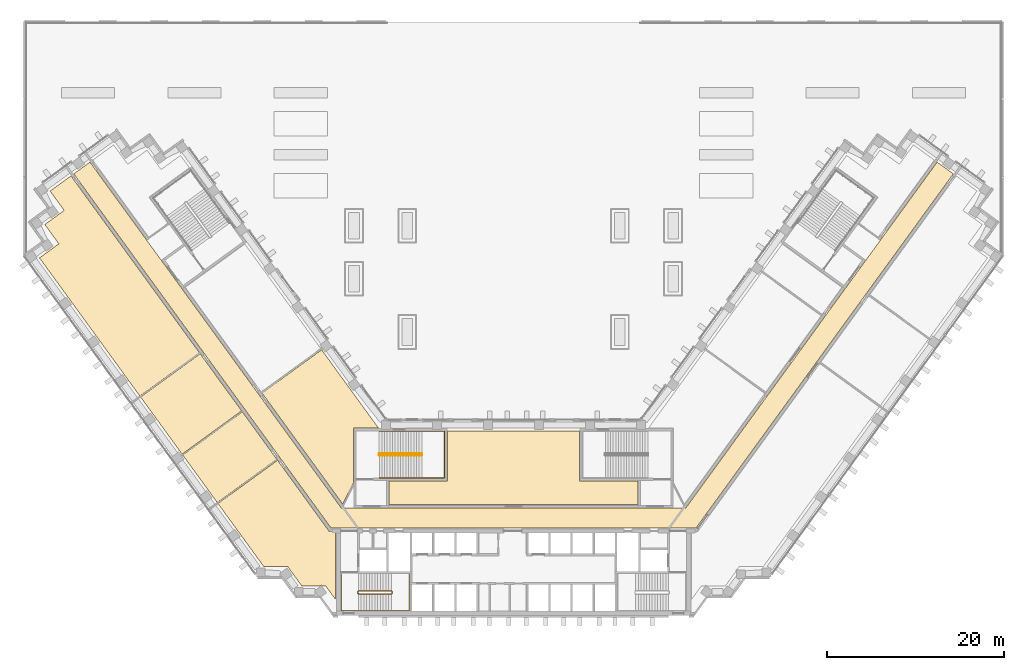
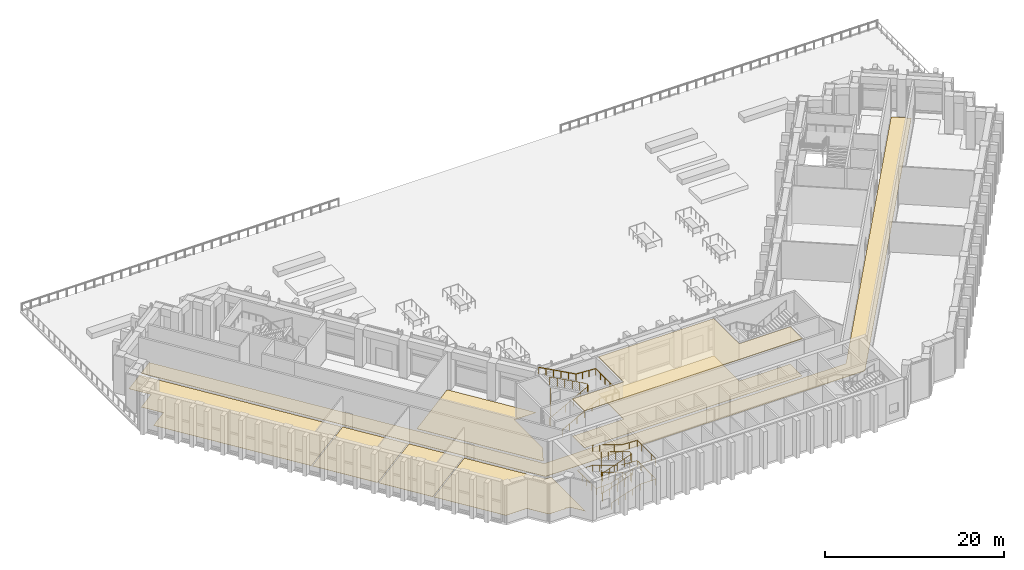
# One storey, part 21 of 25: 8 coverings, 4 railings.
"""IFC4 building model written with IfcOpenShell, lengths in metres."""

from ifc_helpers import new_model, si_unit, direction, frame, origin, origin_2d, place, context, subcontext, project, spatial, polyline, circle, outline, extrude, material, layer, layer_set, type_object, element, save


model = new_model("IFC4")

# Units and contexts
model_context = context("Model", 3, precision=1e-05, world=origin(), true_north=direction((0.0, 1.0)))
body_context = subcontext(model_context, "Body", "Model", "MODEL_VIEW")
ifc_project = project(units=[si_unit("LENGTHUNIT", "METRE"), si_unit("AREAUNIT", "SQUARE_METRE"), si_unit("VOLUMEUNIT", "CUBIC_METRE"), si_unit("PLANEANGLEUNIT", "RADIAN"), si_unit("MASSUNIT", "GRAM", prefix="KILO")], contexts=[model_context])

# Site, building, storey
site_placement = place(None, origin())
site = spatial("IfcSite", under=ifc_project, at=site_placement, CompositionType="ELEMENT")
building_placement = place(site_placement, origin())
building = spatial("IfcBuilding", under=site, at=building_placement, Name="Quipu Civic Tower", CompositionType="ELEMENT")
storey_placement = place(building_placement, frame((0.0, 0.0, 6.0)))
storey = spatial("IfcBuildingStorey", under=building, at=storey_placement, Name="L01", CompositionType="ELEMENT", Elevation=6.0)

# Coverings
ifc_material_1 = material(Name="Carpet tile on raised access floor")
ifc_layer_1 = layer(ifc_material_1, 0.02001953125)
ifc_layer_set_1 = layer_set([ifc_layer_1], Name="Carpet tile on raised access floor")
covering_type_1 = type_object("IfcCoveringType", Name="Carpet tile floor finish 20", PredefinedType="FLOORING", material=ifc_layer_set_1)
covering_1_placement = place(storey_placement, origin())
element("IfcCovering", 1, at=covering_1_placement, inside=storey, type_object=covering_type_1, Name="Carpet tile floor finish 20", PredefinedType="FLOORING", context=body_context, shape_type="SweptSolid", body=[
    extrude(outline(polyline([(-53.47998046875, 29.35791015625), (-51.297119140625, 30.945068359375), (-52.883056640625, 33.12890625), (-50.698974609375, 34.717041015625), (-52.284912109375, 36.90087890625), (-49.930908203125, 38.611083984375), (-35.43408203125, 18.656005859375), (-42.156982421875, 13.77197265625), (-53.47998046875, 29.35791015625)])), origin(), (0.0, 0.0, 1.0), 0.02001953125),
])
covering_2_placement = place(storey_placement, origin())
element("IfcCovering", 2, at=covering_2_placement, inside=storey, type_object=covering_type_1, Name="Carpet tile floor finish 20", PredefinedType="FLOORING", context=body_context, shape_type="SweptSolid", body=[
    extrude(outline(polyline([(-33.344970703125, 1.64501953125), (-26.6220703125, 6.529052734375), (-20.77490234375, -1.51904296875), (-20.070068359375, -1.52001953125), (-20.070068359375, -9.195068359375), (-21.196044921875, -7.64599609375), (-21.597900390625, -7.64599609375), (-21.64111328125, -7.5869140625), (-21.64404296875, -7.5830078125), (-21.64697265625, -7.580078125), (-21.65087890625, -7.576904296875), (-21.655029296875, -7.573974609375), (-21.658935546875, -7.572021484375), (-21.6640625, -7.570068359375), (-21.6689453125, -7.568115234375), (-21.673095703125, -7.56689453125), (-21.677978515625, -7.56689453125), (-21.68310546875, -7.56689453125), (-21.68798828125, -7.56689453125), (-21.693115234375, -7.568115234375), (-21.697998046875, -7.569091796875), (-21.701904296875, -7.571044921875), (-21.7060546875, -7.572998046875), (-21.7109375, -7.575927734375), (-21.806884765625, -7.64599609375), (-23.89501953125, -7.64599609375), (-25.48193359375, -5.4619140625), (-28.181884765625, -5.4609375), (-33.344970703125, 1.64501953125)])), origin(), (0.0, 0.0, 1.0), 0.02001953125),
])
covering_3_placement = place(storey_placement, origin())
element("IfcCovering", 3, at=covering_3_placement, inside=storey, type_object=covering_type_1, Name="Carpet tile floor finish 20", PredefinedType="FLOORING", context=body_context, shape_type="SweptSolid", body=[
    extrude(outline(polyline([(-14.030029296875, 1.52001953125), (-14.030029296875, 4.179931640625), (-7.429931640625, 4.180908203125), (-7.429931640625, 9.830078125), (7.429931640625, 9.830078125), (7.430908203125, 4.179931640625), (14.030029296875, 4.179931640625), (14.030029296875, 1.52001953125), (-14.030029296875, 1.52001953125)])), origin(), (0.0, 0.0, 1.0), 0.02001953125),
])
covering_4_placement = place(storey_placement, origin())
element("IfcCovering", 4, at=covering_4_placement, inside=storey, type_object=covering_type_1, Name="Carpet tile floor finish 20", PredefinedType="FLOORING", context=body_context, shape_type="SweptSolid", body=[
    extrude(outline(polyline([(-28.37109375, 14.10888671875), (-21.64794921875, 18.992919921875), (-15.238037109375, 10.169921875), (-18.070068359375, 10.1689453125), (-18.070068359375, 3.94189453125), (-19.27197265625, 1.583984375), (-28.37109375, 14.10888671875)])), origin(), (0.0, 0.0, 1.0), 0.02001953125),
])
ifc_material_2 = material(Name="Ceramic floor tile")
ifc_layer_2 = layer(ifc_material_2, 0.030029296875)
ifc_layer_set_2 = layer_set([ifc_layer_2], Name="Ceramic floor tile")
covering_type_2 = type_object("IfcCoveringType", Name="Ceramic tile floor finish 30", PredefinedType="FLOORING", material=ifc_layer_set_2)
covering_5_placement = place(storey_placement, origin())
element("IfcCovering", 5, at=covering_5_placement, inside=storey, type_object=covering_type_2, Name="Ceramic tile floor finish 30", PredefinedType="FLOORING", context=body_context, shape_type="SweptSolid", body=[
    extrude(outline(polyline([(-37.31298828125, 7.10595703125), (-30.590087890625, 11.989990234375), (-26.705078125, 6.64208984375), (-33.427978515625, 1.758056640625), (-37.31298828125, 7.10595703125)])), origin(), (0.0, 0.0, 1.0), 0.030029296875),
])
covering_6_placement = place(storey_placement, origin())
element("IfcCovering", 6, at=covering_6_placement, inside=storey, type_object=covering_type_2, Name="Ceramic tile floor finish 30", PredefinedType="FLOORING", context=body_context, shape_type="SweptSolid", body=[
    extrude(outline(polyline([(-42.073974609375, 13.658935546875), (-35.35107421875, 18.54296875), (-30.673095703125, 12.10302734375), (-37.39599609375, 7.218994140625), (-42.073974609375, 13.658935546875)])), origin(), (0.0, 0.0, 1.0), 0.030029296875),
])

# Railings
ifc_material_3 = material(Name="Stainless steel", Category="steel")
railing_type_1 = type_object("IfcRailingType", Name="Stair guard 1100", PredefinedType="GUARDRAIL", material=ifc_material_3)
railing_1_placement = place(storey_placement, frame((-17.5, -8.550048828125, 0.105712890625)))
element("IfcRailing", 7, at=railing_1_placement, inside=storey, type_object=railing_type_1, Name="Stair 1 guard", PredefinedType="GUARDRAIL", context=body_context, shape_type="SweptSolid", body=[
    extrude(circle(Radius=0.02392578125, at=origin_2d()), frame((0.0, 0.0, 1.076171875), z_axis=(0.946423494061, 0.0, 0.322928118765), x_axis=(0.0, 1.0, 0.0)), (0.0, 0.0, 1.0), 3.9306640625),
    extrude(circle(Radius=0.02392578125, at=origin_2d()), frame((3.719970703125, 0.0, 2.34521484375), z_axis=(0.707106781187, 0.707106781187, 0.0), x_axis=(-0.707106781187, 0.707106781187, 0.0)), (0.0, 0.0, 1.0), 0.07080078125),
    extrude(circle(Radius=0.02392578125, at=origin_2d()), frame((3.77001953125, 0.050048828125, 2.34521484375), z_axis=(0.0, 1.0, 0.0), x_axis=(-1.0, 0.0, 0.0)), (0.0, 0.0, 1.0), 0.25),
    extrude(circle(Radius=0.02392578125, at=origin_2d()), frame((3.77001953125, 0.300048828125, 2.34521484375), z_axis=(-0.393403078344, 0.393403078344, 0.830944063039), x_axis=(-0.707106781187, -0.707106781187, 0.0)), (0.0, 0.0, 1.0), 0.127197265625),
    extrude(circle(Radius=0.02392578125, at=origin_2d()), frame((3.719970703125, 0.35009765625, 2.451171875), z_axis=(-0.946423494061, 0.0, 0.322928118765), x_axis=(0.0, -1.0, 0.0)), (0.0, 0.0, 1.0), 3.9306640625),
    extrude(circle(Radius=0.02392578125, at=origin_2d()), frame((0.0, 0.35009765625, 3.72021484375), z_axis=(-0.164529134168, -0.986372223864, 0.0), x_axis=(0.986372223864, -0.164529134168, 0.0)), (0.0, 0.0, 1.0), 0.30419921875),
    extrude(circle(Radius=0.02392578125, at=origin_2d()), frame((-0.050048828125, 0.050048828125, 3.72021484375), z_axis=(0.0, 1.0, 0.0), x_axis=(-1.0, 0.0, 0.0)), (0.0, 0.0, 1.0), 0.25),
    extrude(circle(Radius=0.02392578125, at=origin_2d()), frame((-0.050048828125, 0.300048828125, 3.72021484375), z_axis=(0.155412108586, -0.931714543669, 0.328260697648), x_axis=(0.986372223864, 0.164529134168, 0.0)), (0.0, 0.0, 1.0), 0.322021484375),
    extrude(circle(Radius=0.02392578125, at=origin_2d()), frame((0.0, 0.0, 3.826171875), z_axis=(0.946423494061, 0.0, 0.322928118765), x_axis=(0.0, 1.0, 0.0)), (0.0, 0.0, 1.0), 3.9306640625),
    extrude(circle(Radius=0.02392578125, at=origin_2d()), frame((3.719970703125, 0.0, 5.09521484375), z_axis=(0.707106781187, 0.707106781187, 0.0), x_axis=(-0.707106781187, 0.707106781187, 0.0)), (0.0, 0.0, 1.0), 0.07080078125),
    extrude(circle(Radius=0.02392578125, at=origin_2d()), frame((3.77001953125, 0.050048828125, 5.09521484375), z_axis=(0.0, 1.0, 0.0), x_axis=(-1.0, 0.0, 0.0)), (0.0, 0.0, 1.0), 0.25),
    extrude(circle(Radius=0.02392578125, at=origin_2d()), frame((3.77001953125, 0.300048828125, 5.09521484375), z_axis=(-0.393403078344, 0.393403078344, 0.830944063039), x_axis=(-0.707106781187, -0.707106781187, 0.0)), (0.0, 0.0, 1.0), 0.127197265625),
    extrude(circle(Radius=0.02392578125, at=origin_2d()), frame((3.719970703125, 0.35009765625, 5.201171875), z_axis=(-0.946423494061, 0.0, 0.322928118765), x_axis=(0.0, -1.0, 0.0)), (0.0, 0.0, 1.0), 3.9306640625),
    extrude(circle(Radius=0.02392578125, at=origin_2d()), frame((0.0, 0.35009765625, 6.47021484375), z_axis=(-0.009085900743, -0.05447108299, -0.998474009439), x_axis=(0.986372223864, -0.164529134168, 0.0)), (0.0, 0.0, 1.0), 5.50830078125),
    extrude(circle(Radius=0.02392578125, at=origin_2d()), frame((-0.050048828125, 0.050048828125, 0.97021484375), z_axis=(0.0, 1.0, 0.0), x_axis=(-1.0, 0.0, 0.0)), (0.0, 0.0, 1.0), 0.25),
    extrude(circle(Radius=0.02099609375, at=origin_2d()), origin(), (0.0, 0.0, 1.0), 1.052001953125),
    extrude(circle(Radius=0.02099609375, at=origin_2d()), frame((0.929931640625, 0.0, 0.3173828125)), (0.0, 0.0, 1.0), 1.052001953125),
    extrude(circle(Radius=0.02099609375, at=origin_2d()), frame((1.85986328125, 0.0, 0.634765625)), (0.0, 0.0, 1.0), 1.052001953125),
    extrude(circle(Radius=0.02099609375, at=origin_2d()), frame((2.7900390625, 0.0, 0.951904296875)), (0.0, 0.0, 1.0), 1.052001953125),
    extrude(circle(Radius=0.02099609375, at=origin_2d()), frame((3.719970703125, 0.0, 1.269287109375)), (0.0, 0.0, 1.0), 1.052001953125),
    extrude(circle(Radius=0.02099609375, at=origin_2d()), frame((3.77001953125, 0.050048828125, 1.269287109375)), (0.0, 0.0, 1.0), 1.052001953125),
    extrude(circle(Radius=0.02099609375, at=origin_2d()), frame((3.77001953125, 0.300048828125, 1.269287109375)), (0.0, 0.0, 1.0), 1.052001953125),
    extrude(circle(Radius=0.02099609375, at=origin_2d()), frame((3.719970703125, 0.35009765625, 1.375)), (0.0, 0.0, 1.0), 1.052001953125),
    extrude(circle(Radius=0.02099609375, at=origin_2d()), frame((2.7900390625, 0.35009765625, 1.6923828125)), (0.0, 0.0, 1.0), 1.052001953125),
    extrude(circle(Radius=0.02099609375, at=origin_2d()), frame((1.85986328125, 0.35009765625, 2.009765625)), (0.0, 0.0, 1.0), 1.052001953125),
    extrude(circle(Radius=0.02099609375, at=origin_2d()), frame((0.929931640625, 0.35009765625, 2.326904296875)), (0.0, 0.0, 1.0), 1.052001953125),
    extrude(circle(Radius=0.02099609375, at=origin_2d()), frame((0.0, 0.35009765625, 2.644287109375)), (0.0, 0.0, 1.0), 1.052001953125),
    extrude(circle(Radius=0.02099609375, at=origin_2d()), frame((-0.050048828125, 0.050048828125, 2.644287109375)), (0.0, 0.0, 1.0), 1.052001953125),
    extrude(circle(Radius=0.02099609375, at=origin_2d()), frame((-0.050048828125, 0.300048828125, 2.644287109375)), (0.0, 0.0, 1.0), 1.052001953125),
    extrude(circle(Radius=0.02099609375, at=origin_2d()), frame((0.0, 0.0, 2.75)), (0.0, 0.0, 1.0), 1.052001953125),
    extrude(circle(Radius=0.02099609375, at=origin_2d()), frame((0.929931640625, 0.0, 3.0673828125)), (0.0, 0.0, 1.0), 1.052001953125),
    extrude(circle(Radius=0.02099609375, at=origin_2d()), frame((1.85986328125, 0.0, 3.384765625)), (0.0, 0.0, 1.0), 1.052001953125),
    extrude(circle(Radius=0.02099609375, at=origin_2d()), frame((2.7900390625, 0.0, 3.701904296875)), (0.0, 0.0, 1.0), 1.052001953125),
    extrude(circle(Radius=0.02099609375, at=origin_2d()), frame((3.719970703125, 0.0, 4.019287109375)), (0.0, 0.0, 1.0), 1.052001953125),
    extrude(circle(Radius=0.02099609375, at=origin_2d()), frame((3.77001953125, 0.050048828125, 4.019287109375)), (0.0, 0.0, 1.0), 1.052001953125),
    extrude(circle(Radius=0.02099609375, at=origin_2d()), frame((3.77001953125, 0.300048828125, 4.019287109375)), (0.0, 0.0, 1.0), 1.052001953125),
    extrude(circle(Radius=0.02099609375, at=origin_2d()), frame((3.719970703125, 0.35009765625, 4.125)), (0.0, 0.0, 1.0), 1.052001953125),
    extrude(circle(Radius=0.02099609375, at=origin_2d()), frame((2.7900390625, 0.35009765625, 4.4423828125)), (0.0, 0.0, 1.0), 1.052001953125),
    extrude(circle(Radius=0.02099609375, at=origin_2d()), frame((1.85986328125, 0.35009765625, 4.759765625)), (0.0, 0.0, 1.0), 1.052001953125),
    extrude(circle(Radius=0.02099609375, at=origin_2d()), frame((0.929931640625, 0.35009765625, 5.076904296875)), (0.0, 0.0, 1.0), 1.052001953125),
    extrude(circle(Radius=0.02099609375, at=origin_2d()), frame((0.0, 0.35009765625, 5.394287109375)), (0.0, 0.0, 1.0), 1.052001953125),
    extrude(circle(Radius=0.02099609375, at=origin_2d()), frame((-0.010009765625, 0.2900390625, 4.294189453125)), (0.0, 0.0, 1.0), 1.052001953125),
    extrude(circle(Radius=0.02099609375, at=origin_2d()), frame((-0.02001953125, 0.22998046875, 3.1943359375)), (0.0, 0.0, 1.0), 1.052001953125),
    extrude(circle(Radius=0.02099609375, at=origin_2d()), frame((-0.030029296875, 0.170166015625, 2.09423828125)), (0.0, 0.0, 1.0), 1.052001953125),
    extrude(circle(Radius=0.02099609375, at=origin_2d()), frame((-0.0400390625, 0.110107421875, 0.994384765625)), (0.0, 0.0, 1.0), 1.052001953125),
    extrude(circle(Radius=0.02099609375, at=origin_2d()), frame((-0.050048828125, 0.050048828125, -0.105712890625)), (0.0, 0.0, 1.0), 1.052001953125),
    extrude(circle(Radius=0.02099609375, at=origin_2d()), frame((-0.050048828125, 0.300048828125, -0.105712890625)), (0.0, 0.0, 1.0), 1.052001953125),
])
railing_2_placement = place(storey_placement, frame((-15.14990234375, 7.050048828125, 0.161865234375)))
element("IfcRailing", 8, at=railing_2_placement, inside=storey, type_object=railing_type_1, Name="Stair 3 guard", PredefinedType="GUARDRAIL", context=body_context, shape_type="SweptSolid", body=[
    extrude(circle(Radius=0.02392578125, at=origin_2d()), frame((0.0, 0.0, 1.076171875), z_axis=(0.880193493545, 0.0, 0.474615016535), x_axis=(0.0, 1.0, 0.0)), (0.0, 0.0, 1.0), 5.453125),
    extrude(circle(Radius=0.02392578125, at=origin_2d()), frame((4.7998046875, 0.0, 3.6640625), z_axis=(0.707106781187, 0.707106781187, 0.0), x_axis=(-0.707106781187, 0.707106781187, 0.0)), (0.0, 0.0, 1.0), 0.07080078125),
    extrude(circle(Radius=0.02392578125, at=origin_2d()), frame((4.849853515625, 0.050048828125, 3.6640625), z_axis=(0.0, 1.0, 0.0), x_axis=(-1.0, 0.0, 0.0)), (0.0, 0.0, 1.0), 0.14990234375),
    extrude(circle(Radius=0.02392578125, at=origin_2d()), frame((4.849853515625, 0.199951171875, 3.6640625), z_axis=(-0.283299731285, 0.283299731285, 0.916232789474), x_axis=(-0.707106781187, -0.707106781187, 0.0)), (0.0, 0.0, 1.0), 0.1767578125),
    extrude(circle(Radius=0.02392578125, at=origin_2d()), frame((4.7998046875, 0.25, 3.826171875), z_axis=(-0.880193493545, 0.0, 0.474615016535), x_axis=(0.0, -1.0, 0.0)), (0.0, 0.0, 1.0), 5.453125),
    extrude(circle(Radius=0.02392578125, at=origin_2d()), frame((0.0, 0.25, 6.4140625), z_axis=(-0.009093403445, -0.036329255716, -0.999298501546), x_axis=(0.970072785993, -0.242814311512, 0.0)), (0.0, 0.0, 1.0), 5.50390625),
    extrude(circle(Radius=0.02392578125, at=origin_2d()), frame((-0.050048828125, 0.050048828125, 0.9140625), z_axis=(0.0, 1.0, 0.0), x_axis=(-1.0, 0.0, 0.0)), (0.0, 0.0, 1.0), 0.14990234375),
    extrude(circle(Radius=0.02099609375, at=origin_2d()), origin(), (0.0, 0.0, 1.0), 1.052001953125),
    extrude(circle(Radius=0.02099609375, at=origin_2d()), frame((0.9599609375, 0.0, 0.517578125)), (0.0, 0.0, 1.0), 1.052001953125),
    extrude(circle(Radius=0.02099609375, at=origin_2d()), frame((1.919921875, 0.0, 1.03515625)), (0.0, 0.0, 1.0), 1.052001953125),
    extrude(circle(Radius=0.02099609375, at=origin_2d()), frame((2.8798828125, 0.0, 1.552978515625)), (0.0, 0.0, 1.0), 1.052001953125),
    extrude(circle(Radius=0.02099609375, at=origin_2d()), frame((3.83984375, 0.0, 2.070556640625)), (0.0, 0.0, 1.0), 1.052001953125),
    extrude(circle(Radius=0.02099609375, at=origin_2d()), frame((4.7998046875, 0.0, 2.588134765625)), (0.0, 0.0, 1.0), 1.052001953125),
    extrude(circle(Radius=0.02099609375, at=origin_2d()), frame((4.849853515625, 0.050048828125, 2.588134765625)), (0.0, 0.0, 1.0), 1.052001953125),
    extrude(circle(Radius=0.02099609375, at=origin_2d()), frame((4.849853515625, 0.199951171875, 2.588134765625)), (0.0, 0.0, 1.0), 1.052001953125),
    extrude(circle(Radius=0.02099609375, at=origin_2d()), frame((4.7998046875, 0.25, 2.75)), (0.0, 0.0, 1.0), 1.052001953125),
    extrude(circle(Radius=0.02099609375, at=origin_2d()), frame((3.83984375, 0.25, 3.267578125)), (0.0, 0.0, 1.0), 1.052001953125),
    extrude(circle(Radius=0.02099609375, at=origin_2d()), frame((2.8798828125, 0.25, 3.78515625)), (0.0, 0.0, 1.0), 1.052001953125),
    extrude(circle(Radius=0.02099609375, at=origin_2d()), frame((1.919921875, 0.25, 4.302978515625)), (0.0, 0.0, 1.0), 1.052001953125),
    extrude(circle(Radius=0.02099609375, at=origin_2d()), frame((0.9599609375, 0.25, 4.820556640625)), (0.0, 0.0, 1.0), 1.052001953125),
    extrude(circle(Radius=0.02099609375, at=origin_2d()), frame((0.0, 0.25, 5.338134765625)), (0.0, 0.0, 1.0), 1.052001953125),
    extrude(circle(Radius=0.02099609375, at=origin_2d()), frame((-0.010009765625, 0.2099609375, 4.238037109375)), (0.0, 0.0, 1.0), 1.052001953125),
    extrude(circle(Radius=0.02099609375, at=origin_2d()), frame((-0.02001953125, 0.169921875, 3.13818359375)), (0.0, 0.0, 1.0), 1.052001953125),
    extrude(circle(Radius=0.02099609375, at=origin_2d()), frame((-0.030029296875, 0.130126953125, 2.0380859375)), (0.0, 0.0, 1.0), 1.052001953125),
    extrude(circle(Radius=0.02099609375, at=origin_2d()), frame((-0.0400390625, 0.090087890625, 0.938232421875)), (0.0, 0.0, 1.0), 1.052001953125),
    extrude(circle(Radius=0.02099609375, at=origin_2d()), frame((-0.050048828125, 0.050048828125, -0.161865234375)), (0.0, 0.0, 1.0), 1.052001953125),
    extrude(circle(Radius=0.02099609375, at=origin_2d()), frame((-0.050048828125, 0.199951171875, -0.161865234375)), (0.0, 0.0, 1.0), 1.052001953125),
])
ifc_material_4 = material(Name="Stainless steel", Category="steel")
railing_type_2 = type_object("IfcRailingType", Name="Stair handrail", PredefinedType="HANDRAIL", material=ifc_material_4)
railing_3_placement = place(storey_placement, frame((-17.5, -10.449951171875, 0.105712890625)))
element("IfcRailing", 9, at=railing_3_placement, inside=storey, type_object=railing_type_2, Name="Stair 1 handrail", PredefinedType="HANDRAIL", context=body_context, shape_type="SweptSolid", body=[
    extrude(circle(Radius=0.02392578125, at=origin_2d()), frame((0.0, 0.0, 0.8759765625), z_axis=(0.946423494061, 0.0, 0.322928118765), x_axis=(0.0, 1.0, 0.0)), (0.0, 0.0, 1.0), 3.9306640625),
    extrude(circle(Radius=0.02392578125, at=origin_2d()), frame((3.719970703125, 0.0, 2.14501953125), z_axis=(1.0, 0.0, 0.0), x_axis=(0.0, 1.0, 0.0)), (0.0, 0.0, 1.0), 2.030029296875),
    extrude(circle(Radius=0.02392578125, at=origin_2d()), frame((5.75, 0.0, 2.14501953125), z_axis=(0.0, 1.0, 0.0), x_axis=(-1.0, 0.0, 0.0)), (0.0, 0.0, 1.0), 4.14990234375),
    extrude(circle(Radius=0.02392578125, at=origin_2d()), frame((5.75, 4.14990234375, 2.14501953125), z_axis=(-0.998646871289, 0.0, 0.052004100453), x_axis=(0.0, -1.0, 0.0)), (0.0, 0.0, 1.0), 2.03271484375),
    extrude(circle(Radius=0.02392578125, at=origin_2d()), frame((3.719970703125, 4.14990234375, 2.2509765625), z_axis=(-0.946423494061, 0.0, 0.322928118765), x_axis=(0.0, -1.0, 0.0)), (0.0, 0.0, 1.0), 3.9306640625),
    extrude(circle(Radius=0.02392578125, at=origin_2d()), frame((0.0, 4.14990234375, 3.52001953125), z_axis=(-1.0, 0.0, 0.0), x_axis=(0.0, -1.0, 0.0)), (0.0, 0.0, 1.0), 1.949951171875),
    extrude(circle(Radius=0.02392578125, at=origin_2d()), frame((-1.949951171875, 4.14990234375, 3.52001953125), z_axis=(0.0, -1.0, 0.0), x_axis=(1.0, 0.0, 0.0)), (0.0, 0.0, 1.0), 4.14990234375),
    extrude(circle(Radius=0.02392578125, at=origin_2d()), frame((-1.949951171875, 0.0, 3.52001953125), z_axis=(0.99853370146, 0.0, 0.054133603698), x_axis=(0.0, 1.0, 0.0)), (0.0, 0.0, 1.0), 1.952880859375),
    extrude(circle(Radius=0.02392578125, at=origin_2d()), frame((0.0, 0.0, 3.6259765625), z_axis=(0.946423494061, 0.0, 0.322928118765), x_axis=(0.0, 1.0, 0.0)), (0.0, 0.0, 1.0), 3.9306640625),
    extrude(circle(Radius=0.02392578125, at=origin_2d()), frame((3.719970703125, 0.0, 4.89501953125), z_axis=(1.0, 0.0, 0.0), x_axis=(0.0, 1.0, 0.0)), (0.0, 0.0, 1.0), 2.030029296875),
    extrude(circle(Radius=0.02392578125, at=origin_2d()), frame((5.75, 0.0, 4.89501953125), z_axis=(0.0, 1.0, 0.0), x_axis=(-1.0, 0.0, 0.0)), (0.0, 0.0, 1.0), 4.14990234375),
    extrude(circle(Radius=0.02392578125, at=origin_2d()), frame((5.75, 4.14990234375, 4.89501953125), z_axis=(-0.998646871289, 0.0, 0.052004100453), x_axis=(0.0, -1.0, 0.0)), (0.0, 0.0, 1.0), 2.03271484375),
    extrude(circle(Radius=0.02392578125, at=origin_2d()), frame((3.719970703125, 4.14990234375, 5.0009765625), z_axis=(-0.946423494061, 0.0, 0.322928118765), x_axis=(0.0, -1.0, 0.0)), (0.0, 0.0, 1.0), 3.9306640625),
    extrude(circle(Radius=0.02099609375, at=origin_2d()), origin(), (0.0, 0.0, 1.0), 0.851806640625),
    extrude(circle(Radius=0.02099609375, at=origin_2d()), frame((0.929931640625, 0.0, 0.3173828125)), (0.0, 0.0, 1.0), 0.851806640625),
    extrude(circle(Radius=0.02099609375, at=origin_2d()), frame((1.85986328125, 0.0, 0.634765625)), (0.0, 0.0, 1.0), 0.851806640625),
    extrude(circle(Radius=0.02099609375, at=origin_2d()), frame((2.7900390625, 0.0, 0.951904296875)), (0.0, 0.0, 1.0), 0.851806640625),
    extrude(circle(Radius=0.02099609375, at=origin_2d()), frame((3.719970703125, 0.0, 1.269287109375)), (0.0, 0.0, 1.0), 0.851806640625),
    extrude(circle(Radius=0.02099609375, at=origin_2d()), frame((4.73486328125, 0.0, 1.269287109375)), (0.0, 0.0, 1.0), 0.851806640625),
    extrude(circle(Radius=0.02099609375, at=origin_2d()), frame((5.75, 0.0, 1.269287109375)), (0.0, 0.0, 1.0), 0.851806640625),
    extrude(circle(Radius=0.02099609375, at=origin_2d()), frame((5.75, 1.03759765625, 1.269287109375)), (0.0, 0.0, 1.0), 0.851806640625),
    extrude(circle(Radius=0.02099609375, at=origin_2d()), frame((5.75, 2.074951171875, 1.269287109375)), (0.0, 0.0, 1.0), 0.851806640625),
    extrude(circle(Radius=0.02099609375, at=origin_2d()), frame((5.75, 3.1123046875, 1.269287109375)), (0.0, 0.0, 1.0), 0.851806640625),
    extrude(circle(Radius=0.02099609375, at=origin_2d()), frame((5.75, 4.14990234375, 1.269287109375)), (0.0, 0.0, 1.0), 0.851806640625),
    extrude(circle(Radius=0.02099609375, at=origin_2d()), frame((4.73486328125, 4.14990234375, 1.322265625)), (0.0, 0.0, 1.0), 0.851806640625),
    extrude(circle(Radius=0.02099609375, at=origin_2d()), frame((3.719970703125, 4.14990234375, 1.375)), (0.0, 0.0, 1.0), 0.851806640625),
    extrude(circle(Radius=0.02099609375, at=origin_2d()), frame((2.7900390625, 4.14990234375, 1.6923828125)), (0.0, 0.0, 1.0), 0.851806640625),
    extrude(circle(Radius=0.02099609375, at=origin_2d()), frame((1.85986328125, 4.14990234375, 2.009765625)), (0.0, 0.0, 1.0), 0.851806640625),
    extrude(circle(Radius=0.02099609375, at=origin_2d()), frame((0.929931640625, 4.14990234375, 2.326904296875)), (0.0, 0.0, 1.0), 0.851806640625),
    extrude(circle(Radius=0.02099609375, at=origin_2d()), frame((0.0, 4.14990234375, 2.644287109375)), (0.0, 0.0, 1.0), 0.851806640625),
    extrude(circle(Radius=0.02099609375, at=origin_2d()), frame((-0.97509765625, 4.14990234375, 2.644287109375)), (0.0, 0.0, 1.0), 0.851806640625),
    extrude(circle(Radius=0.02099609375, at=origin_2d()), frame((-1.949951171875, 4.14990234375, 2.644287109375)), (0.0, 0.0, 1.0), 0.851806640625),
    extrude(circle(Radius=0.02099609375, at=origin_2d()), frame((-1.949951171875, 3.1123046875, 2.644287109375)), (0.0, 0.0, 1.0), 0.851806640625),
    extrude(circle(Radius=0.02099609375, at=origin_2d()), frame((-1.949951171875, 2.074951171875, 2.644287109375)), (0.0, 0.0, 1.0), 0.851806640625),
    extrude(circle(Radius=0.02099609375, at=origin_2d()), frame((-1.949951171875, 1.03759765625, 2.644287109375)), (0.0, 0.0, 1.0), 0.851806640625),
    extrude(circle(Radius=0.02099609375, at=origin_2d()), frame((-1.949951171875, 0.0, 2.644287109375)), (0.0, 0.0, 1.0), 0.851806640625),
    extrude(circle(Radius=0.02099609375, at=origin_2d()), frame((-0.97509765625, 0.0, 2.697265625)), (0.0, 0.0, 1.0), 0.851806640625),
    extrude(circle(Radius=0.02099609375, at=origin_2d()), frame((0.0, 0.0, 2.75)), (0.0, 0.0, 1.0), 0.851806640625),
    extrude(circle(Radius=0.02099609375, at=origin_2d()), frame((0.929931640625, 0.0, 3.0673828125)), (0.0, 0.0, 1.0), 0.851806640625),
    extrude(circle(Radius=0.02099609375, at=origin_2d()), frame((1.85986328125, 0.0, 3.384765625)), (0.0, 0.0, 1.0), 0.851806640625),
    extrude(circle(Radius=0.02099609375, at=origin_2d()), frame((2.7900390625, 0.0, 3.701904296875)), (0.0, 0.0, 1.0), 0.851806640625),
    extrude(circle(Radius=0.02099609375, at=origin_2d()), frame((3.719970703125, 0.0, 4.019287109375)), (0.0, 0.0, 1.0), 0.851806640625),
    extrude(circle(Radius=0.02099609375, at=origin_2d()), frame((4.73486328125, 0.0, 4.019287109375)), (0.0, 0.0, 1.0), 0.851806640625),
    extrude(circle(Radius=0.02099609375, at=origin_2d()), frame((5.75, 0.0, 4.019287109375)), (0.0, 0.0, 1.0), 0.851806640625),
    extrude(circle(Radius=0.02099609375, at=origin_2d()), frame((5.75, 1.03759765625, 4.019287109375)), (0.0, 0.0, 1.0), 0.851806640625),
    extrude(circle(Radius=0.02099609375, at=origin_2d()), frame((5.75, 2.074951171875, 4.019287109375)), (0.0, 0.0, 1.0), 0.851806640625),
    extrude(circle(Radius=0.02099609375, at=origin_2d()), frame((5.75, 3.1123046875, 4.019287109375)), (0.0, 0.0, 1.0), 0.851806640625),
    extrude(circle(Radius=0.02099609375, at=origin_2d()), frame((5.75, 4.14990234375, 4.019287109375)), (0.0, 0.0, 1.0), 0.851806640625),
    extrude(circle(Radius=0.02099609375, at=origin_2d()), frame((4.73486328125, 4.14990234375, 4.072265625)), (0.0, 0.0, 1.0), 0.851806640625),
    extrude(circle(Radius=0.02099609375, at=origin_2d()), frame((3.719970703125, 4.14990234375, 4.125)), (0.0, 0.0, 1.0), 0.851806640625),
    extrude(circle(Radius=0.02099609375, at=origin_2d()), frame((2.7900390625, 4.14990234375, 4.4423828125)), (0.0, 0.0, 1.0), 0.851806640625),
    extrude(circle(Radius=0.02099609375, at=origin_2d()), frame((1.85986328125, 4.14990234375, 4.759765625)), (0.0, 0.0, 1.0), 0.851806640625),
    extrude(circle(Radius=0.02099609375, at=origin_2d()), frame((0.929931640625, 4.14990234375, 5.076904296875)), (0.0, 0.0, 1.0), 0.851806640625),
    extrude(circle(Radius=0.02099609375, at=origin_2d()), frame((0.0, 4.14990234375, 5.394287109375)), (0.0, 0.0, 1.0), 0.851806640625),
])
railing_4_placement = place(storey_placement, frame((-15.14990234375, 4.550048828125, 0.161865234375)))
element("IfcRailing", 10, at=railing_4_placement, inside=storey, type_object=railing_type_2, Name="Stair 3 handrail", PredefinedType="HANDRAIL", context=body_context, shape_type="SweptSolid", body=[
    extrude(circle(Radius=0.02392578125, at=origin_2d()), frame((0.0, 0.0, 0.8759765625), z_axis=(0.880193493545, 0.0, 0.474615016535), x_axis=(0.0, 1.0, 0.0)), (0.0, 0.0, 1.0), 5.453125),
    extrude(circle(Radius=0.02392578125, at=origin_2d()), frame((4.7998046875, 0.0, 3.4638671875), z_axis=(1.0, 0.0, 0.0), x_axis=(0.0, 1.0, 0.0)), (0.0, 0.0, 1.0), 2.550048828125),
    extrude(circle(Radius=0.02392578125, at=origin_2d()), frame((7.349853515625, 0.0, 3.4638671875), z_axis=(0.0, 1.0, 0.0), x_axis=(-1.0, 0.0, 0.0)), (0.0, 0.0, 1.0), 5.25),
    extrude(circle(Radius=0.02392578125, at=origin_2d()), frame((7.349853515625, 5.25, 3.4638671875), z_axis=(-0.997991507467, 0.0, 0.063347857295), x_axis=(0.0, -1.0, 0.0)), (0.0, 0.0, 1.0), 2.55517578125),
    extrude(circle(Radius=0.02392578125, at=origin_2d()), frame((4.7998046875, 5.25, 3.6259765625), z_axis=(-0.880193493545, 0.0, 0.474615016535), x_axis=(0.0, -1.0, 0.0)), (0.0, 0.0, 1.0), 5.453125),
    extrude(circle(Radius=0.02099609375, at=origin_2d()), origin(), (0.0, 0.0, 1.0), 0.851806640625),
    extrude(circle(Radius=0.02099609375, at=origin_2d()), frame((0.9599609375, 0.0, 0.517578125)), (0.0, 0.0, 1.0), 0.851806640625),
    extrude(circle(Radius=0.02099609375, at=origin_2d()), frame((1.919921875, 0.0, 1.03515625)), (0.0, 0.0, 1.0), 0.851806640625),
    extrude(circle(Radius=0.02099609375, at=origin_2d()), frame((2.8798828125, 0.0, 1.552978515625)), (0.0, 0.0, 1.0), 0.851806640625),
    extrude(circle(Radius=0.02099609375, at=origin_2d()), frame((3.83984375, 0.0, 2.070556640625)), (0.0, 0.0, 1.0), 0.851806640625),
    extrude(circle(Radius=0.02099609375, at=origin_2d()), frame((4.7998046875, 0.0, 2.588134765625)), (0.0, 0.0, 1.0), 0.851806640625),
    extrude(circle(Radius=0.02099609375, at=origin_2d()), frame((5.64990234375, 0.0, 2.588134765625)), (0.0, 0.0, 1.0), 0.851806640625),
    extrude(circle(Radius=0.02099609375, at=origin_2d()), frame((6.499755859375, 0.0, 2.588134765625)), (0.0, 0.0, 1.0), 0.851806640625),
    extrude(circle(Radius=0.02099609375, at=origin_2d()), frame((7.349853515625, 0.0, 2.588134765625)), (0.0, 0.0, 1.0), 0.851806640625),
    extrude(circle(Radius=0.02099609375, at=origin_2d()), frame((7.349853515625, 1.050048828125, 2.588134765625)), (0.0, 0.0, 1.0), 0.851806640625),
    extrude(circle(Radius=0.02099609375, at=origin_2d()), frame((7.349853515625, 2.10009765625, 2.588134765625)), (0.0, 0.0, 1.0), 0.851806640625),
    extrude(circle(Radius=0.02099609375, at=origin_2d()), frame((7.349853515625, 3.14990234375, 2.588134765625)), (0.0, 0.0, 1.0), 0.851806640625),
    extrude(circle(Radius=0.02099609375, at=origin_2d()), frame((7.349853515625, 4.199951171875, 2.588134765625)), (0.0, 0.0, 1.0), 0.851806640625),
    extrude(circle(Radius=0.02099609375, at=origin_2d()), frame((7.349853515625, 5.25, 2.588134765625)), (0.0, 0.0, 1.0), 0.851806640625),
    extrude(circle(Radius=0.02099609375, at=origin_2d()), frame((6.499755859375, 5.25, 2.64208984375)), (0.0, 0.0, 1.0), 0.851806640625),
    extrude(circle(Radius=0.02099609375, at=origin_2d()), frame((5.64990234375, 5.25, 2.696044921875)), (0.0, 0.0, 1.0), 0.851806640625),
    extrude(circle(Radius=0.02099609375, at=origin_2d()), frame((4.7998046875, 5.25, 2.75)), (0.0, 0.0, 1.0), 0.851806640625),
    extrude(circle(Radius=0.02099609375, at=origin_2d()), frame((3.83984375, 5.25, 3.267578125)), (0.0, 0.0, 1.0), 0.851806640625),
    extrude(circle(Radius=0.02099609375, at=origin_2d()), frame((2.8798828125, 5.25, 3.78515625)), (0.0, 0.0, 1.0), 0.851806640625),
    extrude(circle(Radius=0.02099609375, at=origin_2d()), frame((1.919921875, 5.25, 4.302978515625)), (0.0, 0.0, 1.0), 0.851806640625),
    extrude(circle(Radius=0.02099609375, at=origin_2d()), frame((0.9599609375, 5.25, 4.820556640625)), (0.0, 0.0, 1.0), 0.851806640625),
    extrude(circle(Radius=0.02099609375, at=origin_2d()), frame((0.0, 5.25, 5.338134765625)), (0.0, 0.0, 1.0), 0.851806640625),
])

# Coverings
ifc_material_5 = material(Name="Terrazzo floor finish")
ifc_layer_3 = layer(ifc_material_5, 0.0400390625)
ifc_layer_set_3 = layer_set([ifc_layer_3], Name="Terrazzo floor finish")
covering_type_3 = type_object("IfcCoveringType", Name="Terrazzo floor finish 40", PredefinedType="FLOORING", material=ifc_layer_set_3)
covering_7_placement = place(storey_placement, origin())
element("IfcCovering", 11, at=covering_7_placement, inside=storey, type_object=covering_type_3, Name="Terrazzo floor finish 40", PredefinedType="FLOORING", context=body_context, shape_type="SweptSolid", body=[
    extrude(outline(polyline([(47.787109375, 40.16796875), (49.615966796875, 38.840087890625), (20.574951171875, -1.1298828125), (-20.574951171875, -1.1298828125), (-49.615966796875, 38.840087890625), (-47.787109375, 40.16796875), (-19.425048828125, 1.1298828125), (19.425048828125, 1.1298828125), (47.787109375, 40.16796875)])), origin(), (0.0, 0.0, 1.0), 0.0400390625),
])
ifc_material_6 = material(Name="Timber slats on battens", Category="wood")
ifc_layer_4 = layer(ifc_material_6, 0.06005859375)
ifc_layer_set_4 = layer_set([ifc_layer_4], Name="Timber slats on battens")
covering_type_4 = type_object("IfcCoveringType", Name="Timber slat ceiling", PredefinedType="CEILING", material=ifc_layer_set_4)
covering_8_placement = place(storey_placement, frame((0.0, 0.0, 5.0400390625)))
element("IfcCovering", 12, at=covering_8_placement, inside=storey, type_object=covering_type_4, Name="Timber slat ceiling", PredefinedType="CEILING", context=body_context, shape_type="SweptSolid", body=[
    extrude(outline(polyline([(-14.030029296875, 1.52001953125), (-14.030029296875, 4.179931640625), (-7.429931640625, 4.180908203125), (-7.429931640625, 9.830078125), (7.429931640625, 9.830078125), (7.430908203125, 4.179931640625), (14.030029296875, 4.179931640625), (14.030029296875, 1.52001953125), (-14.030029296875, 1.52001953125)])), origin(), (0.0, 0.0, 1.0), 0.06005859375),
])

save(model, "model.ifc")
